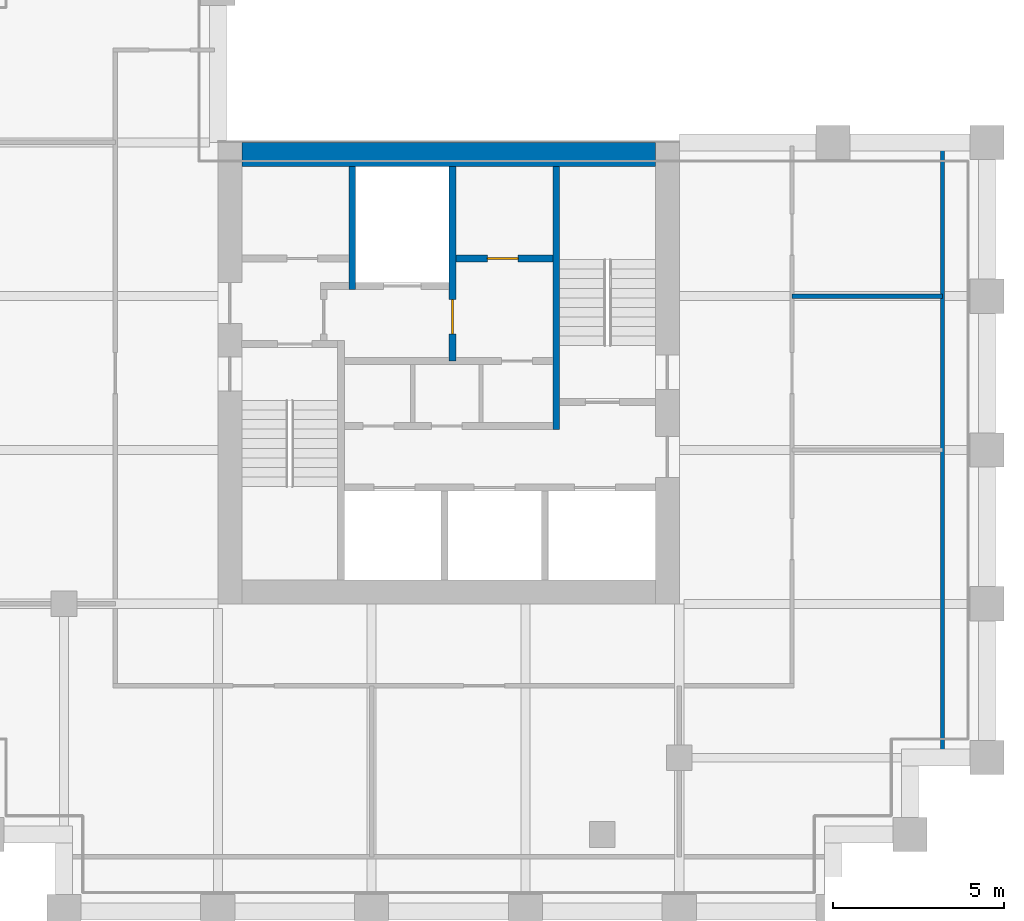
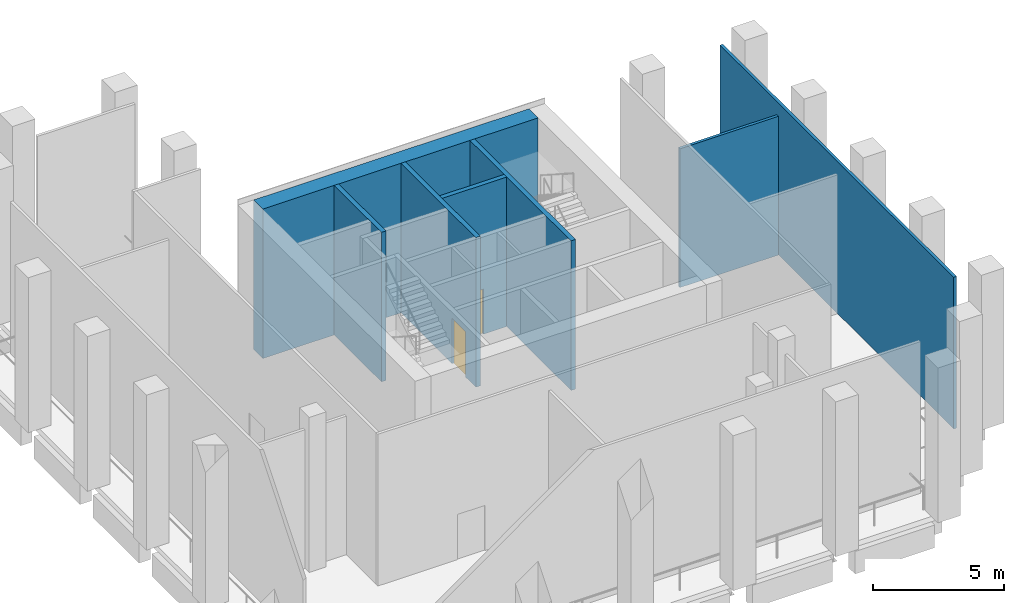
# One storey, part 6 of 9: 7 walls, 2 doors, 2 openings.
"""IFC4 building model written with IfcOpenShell, lengths in metres."""

from ifc_helpers import new_model, si_unit, direction, frame, frame_2d, origin, place, context, subcontext, project, spatial, rectangle, extrude, material, layer, layer_set, type_object, element, fill, save


model = new_model("IFC4")

# Units and contexts
model_context = context("Model", 3, precision=1e-05, world=origin(), true_north=direction((0.0, 1.0)))
body_context = subcontext(model_context, "Body", "Model", "MODEL_VIEW")
ifc_project = project(units=[si_unit("LENGTHUNIT", "METRE"), si_unit("AREAUNIT", "SQUARE_METRE"), si_unit("VOLUMEUNIT", "CUBIC_METRE"), si_unit("PLANEANGLEUNIT", "RADIAN"), si_unit("MASSUNIT", "GRAM", prefix="KILO")], contexts=[model_context])

# Site, building, storey
site_placement = place(None, origin())
site = spatial("IfcSite", under=ifc_project, at=site_placement, CompositionType="ELEMENT")
building_placement = place(site_placement, origin())
building = spatial("IfcBuilding", under=site, at=building_placement, Name="Altepetl Exchange Towers", CompositionType="ELEMENT")
storey_placement = place(building_placement, frame((0.0, 0.0, 113.60009765625)))
storey = spatial("IfcBuildingStorey", under=building, at=storey_placement, Name="L28 Wind floor plant", CompositionType="ELEMENT", Elevation=113.60009765625)

# Walls
ifc_material_1 = material(Name="Concrete C70/85", Category="concrete")
ifc_layer_1 = layer(ifc_material_1, 0.699951171875)
ifc_layer_set_1 = layer_set([ifc_layer_1], Name="Concrete C70/85")
wall_type_1 = type_object("IfcWallType", Name="Core wall 700 reinforced concrete external", PredefinedType="SHEAR", material=ifc_layer_set_1)
wall_1_placement = place(storey_placement, frame((104.199951171875, 49.14990234375, 0.0)))
element("IfcWall", 1, at=wall_1_placement, inside=storey, type_object=wall_type_1, Name="wall:B:L28:K-coreN", PredefinedType="SHEAR", context=body_context, shape_type="SweptSolid", body=[
    extrude(rectangle(XDim=12.10009765625, YDim=0.699951171875, at=frame_2d((6.050048828125, 0.0))), origin(), (0.0, 0.0, 1.0), 6.949951171875),
])
ifc_material_2 = material(Name="Gypsum board on steel studs", Category="steel")
ifc_layer_2 = layer(ifc_material_2, 0.125)
ifc_layer_set_2 = layer_set([ifc_layer_2], Name="Gypsum board on steel studs")
wall_type_2 = type_object("IfcWallType", Name="Partition 125 gypsum board on steel studs", PredefinedType="PARTITIONING", material=ifc_layer_set_2)
wall_2_placement = place(storey_placement, frame((120.300048828125, 45.0, 0.0)))
element("IfcWall", 2, at=wall_2_placement, inside=storey, type_object=wall_type_2, Name="wall:B:L28:P06", PredefinedType="PARTITIONING", context=body_context, shape_type="SweptSolid", body=[
    extrude(rectangle(XDim=4.39990234375, YDim=0.125, at=frame_2d((2.199951171875, 0.0))), origin(), (0.0, 0.0, 1.0), 6.450927734375),
])
wall_3_placement = place(storey_placement, frame((124.699951171875, 31.60009765625, 0.0), z_axis=(0.0, 0.0, 1.0), x_axis=(0.0, 1.0, 0.0)))
element("IfcWall", 3, at=wall_3_placement, inside=storey, type_object=wall_type_2, Name="wall:B:L28:P16", PredefinedType="PARTITIONING", context=body_context, shape_type="SweptSolid", body=[
    extrude(rectangle(XDim=17.7998046875, YDim=0.125, at=frame_2d((8.89990234375, 0.0))), origin(), (0.0, 0.0, 1.0), 7.0498046875),
])
ifc_material_3 = material(Name="Concrete C40/50", Category="concrete")
ifc_layer_3 = layer(ifc_material_3, 0.199951171875)
ifc_layer_set_3 = layer_set([ifc_layer_3], Name="Concrete C40/50")
wall_type_3 = type_object("IfcWallType", Name="Shaft wall 200 reinforced concrete", PredefinedType="SHEAR", material=ifc_layer_set_3)
wall_4_placement = place(storey_placement, frame((107.433349609375, 48.800048828125, 0.0), z_axis=(0.0, 0.0, 1.0), x_axis=(0.0, -1.0, 0.0)))
element("IfcWall", 4, at=wall_4_placement, inside=storey, type_object=wall_type_3, Name="wall:B:L28:K-divN1", PredefinedType="SHEAR", context=body_context, shape_type="SweptSolid", body=[
    extrude(rectangle(XDim=3.60009765625, YDim=0.199951171875, at=frame_2d((1.800048828125, 0.0))), origin(), (0.0, 0.0, 1.0), 6.949951171875),
])

# Wall, opening, door
wall_5_placement = place(storey_placement, frame((110.36669921875, 48.800048828125, 0.0), z_axis=(0.0, 0.0, 1.0), x_axis=(0.0, -1.0, 0.0)))
wall_5 = element("IfcWall", 5, at=wall_5_placement, inside=storey, type_object=wall_type_3, Name="wall:B:L28:K-divN2", PredefinedType="SHEAR", context=body_context, shape_type="SweptSolid", body=[
    extrude(rectangle(XDim=5.699951171875, YDim=0.199951171875, at=frame_2d((2.85009765625, 0.0))), origin(), (0.0, 0.0, 1.0), 6.949951171875),
])
opening_1_placement = place(wall_5_placement, frame((3.89990234375, 0.0, 0.0)))
opening_1 = element("IfcOpeningElement", 6, at=opening_1_placement, cuts=wall_5, Name="Opening L28.B66", PredefinedType="OPENING", context=body_context, shape_type="SweptSolid", body=[
    extrude(rectangle(XDim=1.0, YDim=2.10009765625, at=frame_2d((0.5, 1.050048828125))), frame((0.0, 0.10986328125, 0.0), z_axis=(0.0, -1.0, 0.0), x_axis=(1.0, 0.0, 0.0)), (0.0, 0.0, 1.0), 0.219970703125),
])
ifc_material_4 = material(Name="Steel and timber fire door", Category="steel")
door_type_1 = type_object("IfcDoorType", Name="Fire door 1000 x 2100 stair and lobby", OperationType="SINGLE_SWING_LEFT", PredefinedType="DOOR", material=ifc_material_4)
door_1_placement = place(opening_1_placement, frame((1.0, 0.0, 0.0), x_axis=(-1.0, 0.0, 0.0)))
door_1 = element("IfcDoor", 7, at=door_1_placement, inside=storey, type_object=door_type_1, Name="door:B:L28:K-dffE", OperationType="SINGLE_SWING_RIGHT", OverallHeight=2.10009765625, OverallWidth=1.0, PredefinedType="DOOR", context=body_context, shape_type="SweptSolid", body=[
    extrude(rectangle(XDim=1.0, YDim=2.10009765625, at=frame_2d((0.5, 1.050048828125))), frame((0.0, 0.02490234375, 0.0), z_axis=(0.0, -1.0, 0.0), x_axis=(1.0, 0.0, 0.0)), (0.0, 0.0, 1.0), 0.050048828125),
])
fill(opening_1, door_1)

wall_6_placement = place(storey_placement, frame((110.466796875, 46.10009765625, 0.0)))
wall_6 = element("IfcWall", 8, at=wall_6_placement, inside=storey, type_object=wall_type_3, Name="wall:B:L28:K-frontNb", PredefinedType="SHEAR", context=body_context, shape_type="SweptSolid", body=[
    extrude(rectangle(XDim=2.833251953125, YDim=0.199951171875, at=frame_2d((1.41650390625, 0.0))), origin(), (0.0, 0.0, 1.0), 6.949951171875),
])
opening_2_placement = place(wall_6_placement, frame((0.91650390625, 0.0, 0.0)))
opening_2 = element("IfcOpeningElement", 9, at=opening_2_placement, cuts=wall_6, Name="Opening L28.B69", PredefinedType="OPENING", context=body_context, shape_type="SweptSolid", body=[
    extrude(rectangle(XDim=0.89990234375, YDim=2.10009765625, at=frame_2d((0.449951171875, 1.050048828125))), frame((0.0, 0.10986328125, 0.0), z_axis=(0.0, -1.0, 0.0), x_axis=(1.0, 0.0, 0.0)), (0.0, 0.0, 1.0), 0.219970703125),
])
door_type_2 = type_object("IfcDoorType", Name="Fire door 900 x 2100 service room", OperationType="SINGLE_SWING_LEFT", PredefinedType="DOOR", material=ifc_material_4)
door_2_placement = place(opening_2_placement, origin())
door_2 = element("IfcDoor", 10, at=door_2_placement, inside=storey, type_object=door_type_2, Name="door:B:L28:K-dslotN2", OperationType="SINGLE_SWING_RIGHT", OverallHeight=2.10009765625, OverallWidth=0.89990234375, PredefinedType="DOOR", context=body_context, shape_type="SweptSolid", body=[
    extrude(rectangle(XDim=0.89990234375, YDim=2.10009765625, at=frame_2d((0.449951171875, 1.050048828125))), frame((0.0, 0.02490234375, 0.0), z_axis=(0.0, -1.0, 0.0), x_axis=(1.0, 0.0, 0.0)), (0.0, 0.0, 1.0), 0.050048828125),
])
fill(opening_2, door_2)

# Wall
ifc_layer_4 = layer(ifc_material_3, 0.199951171875)
ifc_layer_set_4 = layer_set([ifc_layer_4], Name="Concrete C40/50")
wall_type_4 = type_object("IfcWallType", Name="Stair wall 200 reinforced concrete", PredefinedType="SHEAR", material=ifc_layer_set_4)
wall_7_placement = place(storey_placement, frame((113.39990234375, 41.10009765625, 0.0), z_axis=(0.0, 0.0, 1.0), x_axis=(0.0, 1.0, 0.0)))
element("IfcWall", 11, at=wall_7_placement, inside=storey, type_object=wall_type_4, Name="wall:B:L28:K-stS2W", PredefinedType="SHEAR", context=body_context, shape_type="SweptSolid", body=[
    extrude(rectangle(XDim=7.699951171875, YDim=0.199951171875, at=frame_2d((3.85009765625, 0.0))), origin(), (0.0, 0.0, 1.0), 6.949951171875),
])

save(model, "model.ifc")
